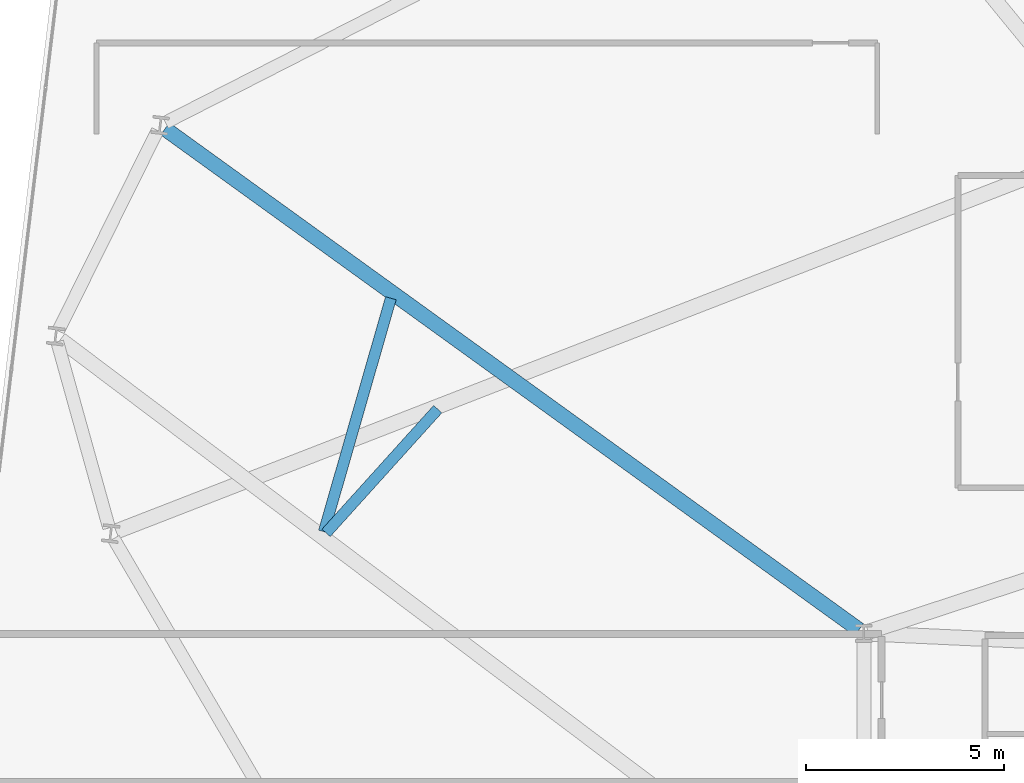
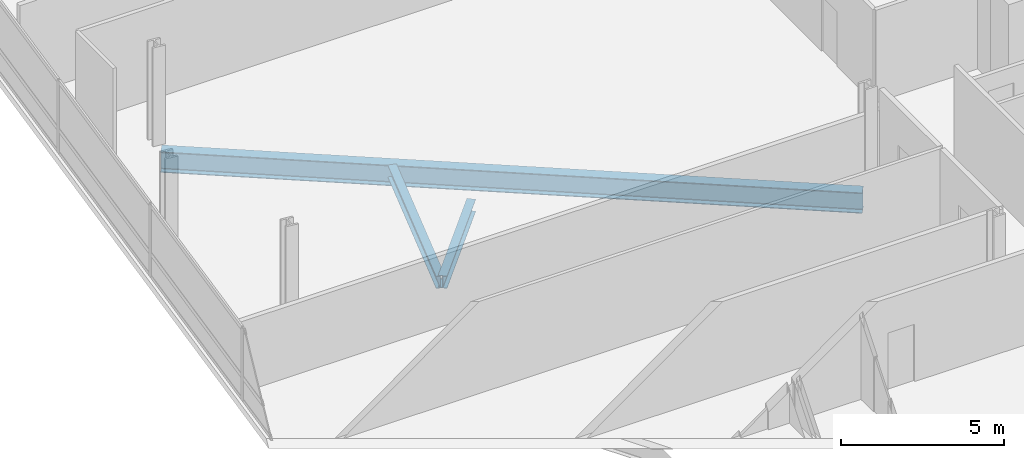
# One storey, part 9 of 26: 3 beams.
"""IFC4 building model written with IfcOpenShell, lengths in metres."""

from ifc_helpers import new_model, si_unit, direction, frame, origin, origin_2d, place, context, subcontext, project, spatial, i_section, extrude, material, material_profile, profile_set, type_object, element, save


model = new_model("IFC4")

# Units and contexts
model_context = context("Model", 3, precision=1e-05, world=origin(), true_north=direction((0.0, 1.0)))
body_context = subcontext(model_context, "Body", "Model", "MODEL_VIEW")
ifc_project = project(units=[si_unit("LENGTHUNIT", "METRE"), si_unit("AREAUNIT", "SQUARE_METRE"), si_unit("VOLUMEUNIT", "CUBIC_METRE"), si_unit("PLANEANGLEUNIT", "RADIAN"), si_unit("MASSUNIT", "GRAM", prefix="KILO")], contexts=[model_context])

# Site, building, storey
site_placement = place(None, origin())
site = spatial("IfcSite", under=ifc_project, at=site_placement, CompositionType="ELEMENT")
building_placement = place(site_placement, origin())
building = spatial("IfcBuilding", under=site, at=building_placement, Name="Varnelok Gate Tower", CompositionType="ELEMENT")
storey_placement = place(building_placement, frame((0.0, 0.0, 147.60009765625)))
storey = spatial("IfcBuildingStorey", under=building, at=storey_placement, Name="L37", CompositionType="ELEMENT", Elevation=147.60009765625)

# Beams
ifc_material = material(Name="Structural Steel ASTM A992 Grade 50", Category="steel")
ifc_material_profile_1 = material_profile(ifc_material, i_section(OverallWidth=0.280029296875, OverallDepth=0.462890625, WebThickness=0.0107421875, FlangeThickness=0.017333984375, FilletRadius=0.014892578125, at=origin_2d()), Name="W18X76")
ifc_profile_set_1 = profile_set([ifc_material_profile_1], Name="Structural Steel ASTM A992 Grade 50")
beam_type_1 = type_object("IfcBeamType", Name="BM-JST-W18X76", PredefinedType="JOIST", material=ifc_profile_set_1)
beam_1_placement = place(storey_placement, frame((12.440185546875, 35.152099609375, -0.481689453125), z_axis=(-0.275750135254, -0.961229349795, 0.0), x_axis=(0.961229349795, -0.275750135254, 0.0)))
element("IfcBeam", 1, at=beam_1_placement, inside=storey, type_object=beam_type_1, Name="L37 Sector Floor Joist 11", PredefinedType="JOIST", context=body_context, shape_type="SweptSolid", body=[
    extrude(i_section(OverallWidth=0.280029296875, OverallDepth=0.462890625, WebThickness=0.0107421875, FlangeThickness=0.017333984375, FilletRadius=0.014892578125, at=origin_2d()), origin(), (0.0, 0.0, 1.0), 6.140869140625),
])
beam_2_placement = place(storey_placement, frame((10.802001953125, 29.21875, -0.481689453125), z_axis=(0.669972308127, 0.74238608981, 0.0), x_axis=(-0.74238608981, 0.669972308127, 0.0)))
element("IfcBeam", 2, at=beam_2_placement, inside=storey, type_object=beam_type_1, Name="L37 Sector Floor Joist 12", PredefinedType="JOIST", context=body_context, shape_type="SweptSolid", body=[
    extrude(i_section(OverallWidth=0.280029296875, OverallDepth=0.462890625, WebThickness=0.0107421875, FlangeThickness=0.017333984375, FilletRadius=0.014892578125, at=origin_2d()), origin(), (0.0, 0.0, 1.0), 4.21435546875),
])
ifc_material_profile_2 = material_profile(ifc_material, i_section(OverallWidth=0.381103515625, OverallDepth=0.77294921875, WebThickness=0.0166015625, FlangeThickness=0.027099609375, FilletRadius=0.02197265625, at=origin_2d()), Name="W30X173")
ifc_profile_set_2 = profile_set([ifc_material_profile_2], Name="Structural Steel ASTM A992 Grade 50")
beam_type_2 = type_object("IfcBeamType", Name="BM-PRI-W30X173", PredefinedType="BEAM", material=ifc_profile_set_2)
beam_3_placement = place(storey_placement, frame((24.2783203125, 26.767822265625, -0.63671875), z_axis=(-0.810778258155, 0.585353411286, 0.0), x_axis=(-0.585353411286, -0.810778258155, 0.0)))
element("IfcBeam", 3, at=beam_3_placement, inside=storey, type_object=beam_type_2, Name="L37 Radial Floor Girder 14", PredefinedType="BEAM", context=body_context, shape_type="SweptSolid", body=[
    extrude(i_section(OverallWidth=0.381103515625, OverallDepth=0.77294921875, WebThickness=0.0166015625, FlangeThickness=0.027099609375, FilletRadius=0.02197265625, at=origin_2d()), origin(), (0.0, 0.0, 1.0), 21.645263671875),
])

save(model, "model.ifc")
